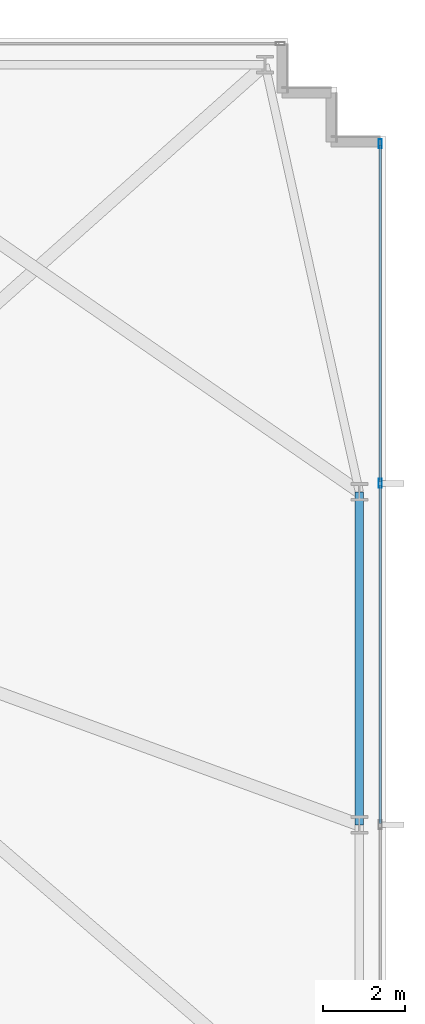
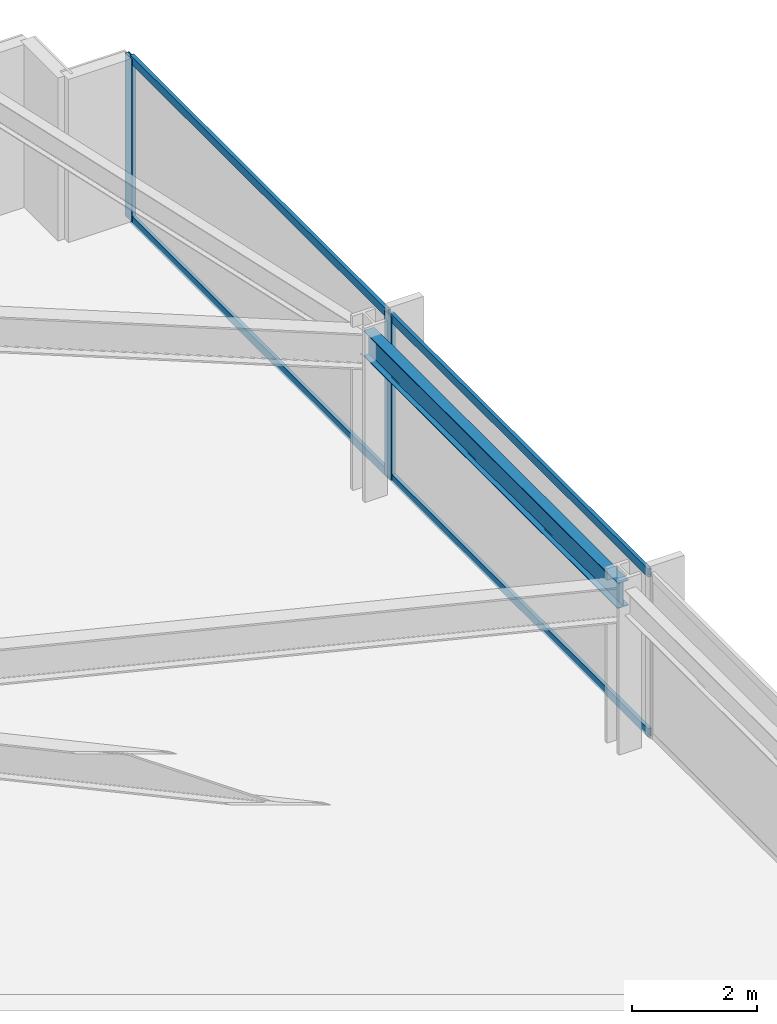
# One storey, part 23 of 32: 6 members, 1 beam, 1 element without a shape of its own.
"""IFC4 building model written with IfcOpenShell, lengths in metres."""

from ifc_helpers import new_model, si_unit, direction, frame, origin, origin_2d, place, context, subcontext, project, spatial, hollow_rectangle, i_section, extrude, material, material_profile, profile_set, type_object, element, aggregate, save


model = new_model("IFC4")

# Units and contexts
model_context = context("Model", 3, precision=1e-05, world=origin(), true_north=direction((0.0, 1.0)))
body_context = subcontext(model_context, "Body", "Model", "MODEL_VIEW")
ifc_project = project(units=[si_unit("LENGTHUNIT", "METRE"), si_unit("AREAUNIT", "SQUARE_METRE"), si_unit("VOLUMEUNIT", "CUBIC_METRE"), si_unit("PLANEANGLEUNIT", "RADIAN"), si_unit("MASSUNIT", "GRAM", prefix="KILO")], contexts=[model_context])

# Site, building, storey
site_placement = place(None, origin())
site = spatial("IfcSite", under=ifc_project, at=site_placement, CompositionType="ELEMENT")
building_placement = place(site_placement, origin())
building = spatial("IfcBuilding", under=site, at=building_placement, Name="Yelkora Congress Tower", CompositionType="ELEMENT")
storey_placement = place(building_placement, frame((0.0, 0.0, 33.800048828125)))
storey = spatial("IfcBuildingStorey", under=building, at=storey_placement, Name="L07", CompositionType="ELEMENT", Elevation=33.800048828125)

# Beam
ifc_material_1 = material(Name="Steel S355J2", Category="steel")
ifc_material_profile_1 = material_profile(ifc_material_1, i_section(OverallWidth=0.199951171875, OverallDepth=0.5, WebThickness=0.01025390625, FlangeThickness=0.01611328125, FilletRadius=0.02099609375, at=origin_2d()), Name="IPE 500")
ifc_profile_set_1 = profile_set([ifc_material_profile_1], Name="Steel S355J2")
beam_type = type_object("IfcBeamType", Name="BM-SPAN-IPE500", PredefinedType="SPANDREL", material=ifc_profile_set_1)
beam_placement = place(storey_placement, frame((70.14990234375, 29.39990234375, 2.929931640625), z_axis=(0.0, 1.0, 0.0), x_axis=(-1.0, 0.0, 0.0)))
element("IfcBeam", 1, at=beam_placement, inside=storey, type_object=beam_type, Name="L07 Perimeter Beam 12", PredefinedType="SPANDREL", context=body_context, shape_type="SweptSolid", body=[
    extrude(i_section(OverallWidth=0.199951171875, OverallDepth=0.5, WebThickness=0.01025390625, FlangeThickness=0.01611328125, FilletRadius=0.02099609375, at=origin_2d()), origin(), (0.0, 0.0, 1.0), 8.125),
])

# Curtain wall, members
ifc_material_2 = material(Name="Anodised aluminium and insulated glass", Category="aluminium")
curtain_wall_type = type_object("IfcCurtainWallType", Name="CW-SYS-B1", PredefinedType="NOTDEFINED", material=ifc_material_2)
curtain_wall_placement = place(storey_placement, origin())
curtain_wall = element("IfcCurtainWall", 2, at=curtain_wall_placement, inside=storey, type_object=curtain_wall_type, Name="L07 Unitised Curtain Wall 15", PredefinedType="NOTDEFINED")
ifc_material_3 = material(Name="Anodised aluminium 6063-T6", Category="aluminium")
ifc_material_profile_2 = material_profile(ifc_material_3, hollow_rectangle(XDim=0.074951171875, YDim=0.219970703125, WallThickness=0.0048828125, at=origin_2d()), Name="ALU 75x220x5")
ifc_profile_set_2 = profile_set([ifc_material_profile_2], Name="Anodised aluminium 6063-T6")
member_type_1 = type_object("IfcMemberType", Name="MEM-ML-B1", PredefinedType="MULLION", material=ifc_profile_set_2)
member_1_placement = place(storey_placement, frame((70.659912109375, 46.0224609375, 0.0), z_axis=(0.0, 0.0, 1.0), x_axis=(1.0, 0.0, 0.0)))
member_1 = element("IfcMember", 3, at=member_1_placement, type_object=member_type_1, Name="CW-B1 mullion 1", PredefinedType="MULLION", context=body_context, shape_type="SweptSolid", body=[
    extrude(hollow_rectangle(XDim=0.074951171875, YDim=0.219970703125, WallThickness=0.0048828125, at=origin_2d()), origin(), (0.0, 0.0, 1.0), 3.179931640625),
])
member_2_placement = place(storey_placement, frame((70.659912109375, 37.72998046875, 0.0), z_axis=(0.0, 0.0, 1.0), x_axis=(1.0, 0.0, 0.0)))
member_2 = element("IfcMember", 4, at=member_2_placement, type_object=member_type_1, Name="CW-B1 mullion 2", PredefinedType="MULLION", context=body_context, shape_type="SweptSolid", body=[
    extrude(hollow_rectangle(XDim=0.074951171875, YDim=0.219970703125, WallThickness=0.0048828125, at=origin_2d()), origin(), (0.0, 0.0, 1.0), 3.179931640625),
])
ifc_material_profile_3 = material_profile(ifc_material_3, hollow_rectangle(XDim=0.06494140625, YDim=0.159912109375, WallThickness=0.00390625, at=origin_2d()), Name="ALU 65x160x4")
ifc_profile_set_3 = profile_set([ifc_material_profile_3], Name="Anodised aluminium 6063-T6")
member_type_2 = type_object("IfcMemberType", Name="MEM-TR-B1", PredefinedType="USERDEFINED", material=ifc_profile_set_3)
member_3_placement = place(storey_placement, frame((70.659912109375, 45.985107421875, 0.032470703125), z_axis=(0.0, -1.0, 0.0), x_axis=(1.0, 0.0, 0.0)))
member_3 = element("IfcMember", 5, at=member_3_placement, type_object=member_type_2, Name="CW-B1 transom 1.1", ObjectType="TRANSOM", PredefinedType="USERDEFINED", context=body_context, shape_type="SweptSolid", body=[
    extrude(hollow_rectangle(XDim=0.06494140625, YDim=0.159912109375, WallThickness=0.00390625, at=origin_2d()), origin(), (0.0, 0.0, 1.0), 8.217529296875),
])
member_4_placement = place(storey_placement, frame((70.659912109375, 45.985107421875, 3.1474609375), z_axis=(0.0, -1.0, 0.0), x_axis=(1.0, 0.0, 0.0)))
member_4 = element("IfcMember", 6, at=member_4_placement, type_object=member_type_2, Name="CW-B1 transom 1.2", ObjectType="TRANSOM", PredefinedType="USERDEFINED", context=body_context, shape_type="SweptSolid", body=[
    extrude(hollow_rectangle(XDim=0.06494140625, YDim=0.159912109375, WallThickness=0.00390625, at=origin_2d()), origin(), (0.0, 0.0, 1.0), 8.217529296875),
])
member_5_placement = place(storey_placement, frame((70.659912109375, 37.6923828125, 0.032470703125), z_axis=(0.0, -1.0, 0.0), x_axis=(1.0, 0.0, 0.0)))
member_5 = element("IfcMember", 7, at=member_5_placement, type_object=member_type_2, Name="CW-B1 transom 2.1", ObjectType="TRANSOM", PredefinedType="USERDEFINED", context=body_context, shape_type="SweptSolid", body=[
    extrude(hollow_rectangle(XDim=0.06494140625, YDim=0.159912109375, WallThickness=0.00390625, at=origin_2d()), origin(), (0.0, 0.0, 1.0), 8.2548828125),
])
member_6_placement = place(storey_placement, frame((70.659912109375, 37.6923828125, 3.1474609375), z_axis=(0.0, -1.0, 0.0), x_axis=(1.0, 0.0, 0.0)))
member_6 = element("IfcMember", 8, at=member_6_placement, type_object=member_type_2, Name="CW-B1 transom 2.2", ObjectType="TRANSOM", PredefinedType="USERDEFINED", context=body_context, shape_type="SweptSolid", body=[
    extrude(hollow_rectangle(XDim=0.06494140625, YDim=0.159912109375, WallThickness=0.00390625, at=origin_2d()), origin(), (0.0, 0.0, 1.0), 8.2548828125),
])
aggregate(curtain_wall, [member_1, member_2, member_3, member_4, member_5, member_6])

save(model, "model.ifc")
